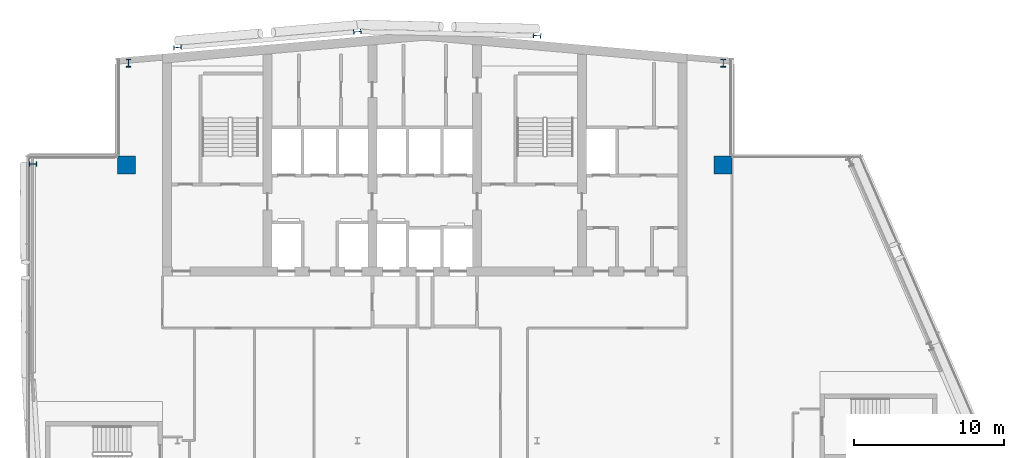
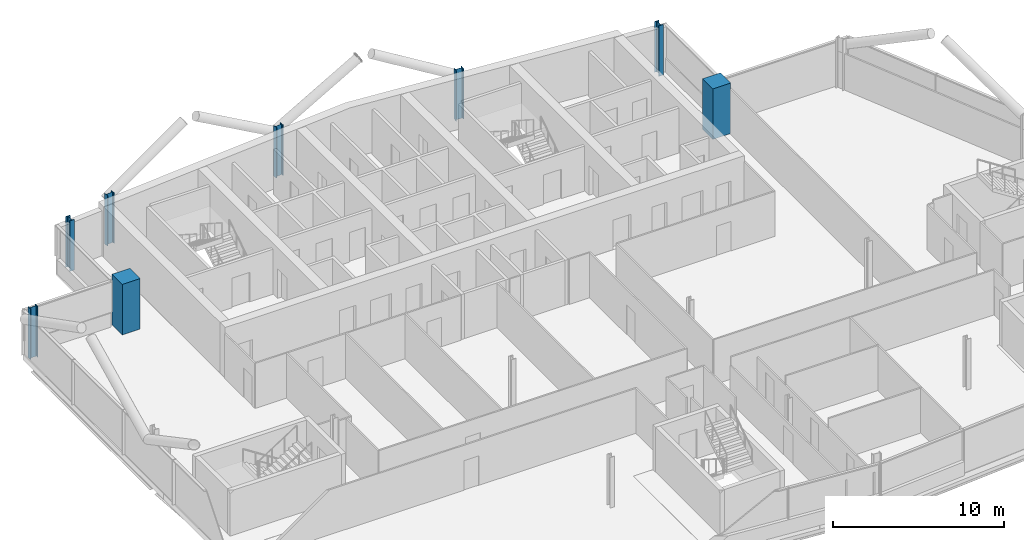
# One storey, part 3 of 26: 8 columns.
"""IFC4 building model written with IfcOpenShell, lengths in metres."""

from ifc_helpers import new_model, si_unit, direction, frame, origin, origin_2d, place, context, subcontext, project, spatial, rectangle, i_section, extrude, material, material_profile, profile_set, type_object, element, save


model = new_model("IFC4")

# Units and contexts
model_context = context("Model", 3, precision=1e-05, world=origin(), true_north=direction((0.0, 1.0)))
body_context = subcontext(model_context, "Body", "Model", "MODEL_VIEW")
ifc_project = project(units=[si_unit("LENGTHUNIT", "METRE"), si_unit("AREAUNIT", "SQUARE_METRE"), si_unit("VOLUMEUNIT", "CUBIC_METRE"), si_unit("PLANEANGLEUNIT", "RADIAN"), si_unit("MASSUNIT", "GRAM", prefix="KILO")], contexts=[model_context])

# Site, building, storey
site_placement = place(None, origin())
site = spatial("IfcSite", under=ifc_project, at=site_placement, CompositionType="ELEMENT")
building_placement = place(site_placement, origin())
building = spatial("IfcBuilding", under=site, at=building_placement, Name="Wharfspan Tower", CompositionType="ELEMENT")
storey_placement = place(building_placement, frame((0.0, 0.0, 217.899902)))
storey = spatial("IfcBuildingStorey", under=building, at=storey_placement, Name="L54", CompositionType="ELEMENT", Elevation=217.899902)

# Columns
ifc_material_1 = material(Name="Steel S355J2", Category="steel")
ifc_material_profile_1 = material_profile(ifc_material_1, i_section(OverallWidth=0.300049, OverallDepth=0.5, WebThickness=0.014404, FlangeThickness=0.028076, FilletRadius=0.0271, at=origin_2d()))
ifc_profile_set_1 = profile_set([ifc_material_profile_1], Name="Steel S355J2")
column_type_1 = type_object("IfcColumnType", Name="Column HEB 500", PredefinedType="COLUMN", material=ifc_profile_set_1)
for number, where, z_axis, x_axis, name in (
    (1, (24.0, 49.234863, 0.0), (0.0, 0.0, 1.0), (-0.087156, 0.996197, 0.0), "Rear column R.1 L54"),
    (2, (36.0, 50.284668, 0.0), (0.0, 0.0, 1.0), (-0.087156, 0.996197, 0.0), "Rear column R.2 L54"),
    (3, (48.0, 50.022217, 0.0), (0.0, 0.0, 1.0), (0.087156, 0.996197, 0.0), "Rear column R.3 L54"),
):
    element("IfcColumn", number, at=place(storey_placement, frame(where, z_axis=z_axis, x_axis=x_axis)), inside=storey, type_object=column_type_1, Name=name, PredefinedType="COLUMN", context=body_context, shape_type="SweptSolid", body=[
        extrude(i_section(OverallWidth=0.300049, OverallDepth=0.5, WebThickness=0.014404, FlangeThickness=0.028076, FilletRadius=0.0271, at=origin_2d()), origin(), (0.0, 0.0, 1.0), 3.600098),
    ])
ifc_material_profile_2 = material_profile(ifc_material_1, i_section(OverallWidth=0.305908, OverallDepth=0.523926, WebThickness=0.020996, FlangeThickness=0.040039, FilletRadius=0.0271, at=origin_2d()))
ifc_profile_set_2 = profile_set([ifc_material_profile_2], Name="Steel S355J2")
column_type_2 = type_object("IfcColumnType", Name="Column HEM 500", PredefinedType="COLUMN", material=ifc_profile_set_2)
for number, where, z_axis, x_axis, name in (
    (4, (60.422119, 48.189453, 0.0), (0.0, 0.0, 1.0), (1.0, 0.0, 0.0), "Perimeter column PNRE-V.1 L54"),
    (5, (20.731201, 48.189941, 0.0), (0.0, 0.0, 1.0), (-1.0, 0.0, 0.0), "Perimeter column PNRW-V.1 L54"),
    (6, (14.356934, 41.459717, 0.0), (0.0, 0.0, 1.0), (0.0, 1.0, 0.0), "Perimeter column PNRW-H.1 L54"),
):
    element("IfcColumn", number, at=place(storey_placement, frame(where, z_axis=z_axis, x_axis=x_axis)), inside=storey, type_object=column_type_2, Name=name, PredefinedType="COLUMN", context=body_context, shape_type="SweptSolid", body=[
        extrude(i_section(OverallWidth=0.305908, OverallDepth=0.523926, WebThickness=0.020996, FlangeThickness=0.040039, FilletRadius=0.0271, at=origin_2d()), origin(), (0.0, 0.0, 1.0), 3.600098),
    ])
ifc_material_2 = material(Name="Concrete C50/60", Category="concrete")
ifc_material_profile_3 = material_profile(ifc_material_2, rectangle(XDim=1.199951, YDim=1.199951, at=origin_2d()))
ifc_profile_set_3 = profile_set([ifc_material_profile_3], Name="Concrete C50/60")
column_type_3 = type_object("IfcColumnType", Name="Mega column 1200 C50/60", PredefinedType="COLUMN", material=ifc_profile_set_3)
for number, where, z_axis, x_axis, name in (
    (7, (20.600098, 41.399902, 0.0), (0.0, 0.0, 1.0), (1.0, 0.0, 0.0), "Mega column MC2 L54"),
    (8, (60.399902, 41.399902, 0.0), (0.0, 0.0, 1.0), (1.0, 0.0, 0.0), "Mega column MC3 L54"),
):
    element("IfcColumn", number, at=place(storey_placement, frame(where, z_axis=z_axis, x_axis=x_axis)), inside=storey, type_object=column_type_3, Name=name, PredefinedType="COLUMN", context=body_context, shape_type="SweptSolid", body=[
        extrude(rectangle(XDim=1.199951, YDim=1.199951, at=origin_2d()), origin(), (0.0, 0.0, 1.0), 3.600098),
    ])

save(model, "model.ifc")
